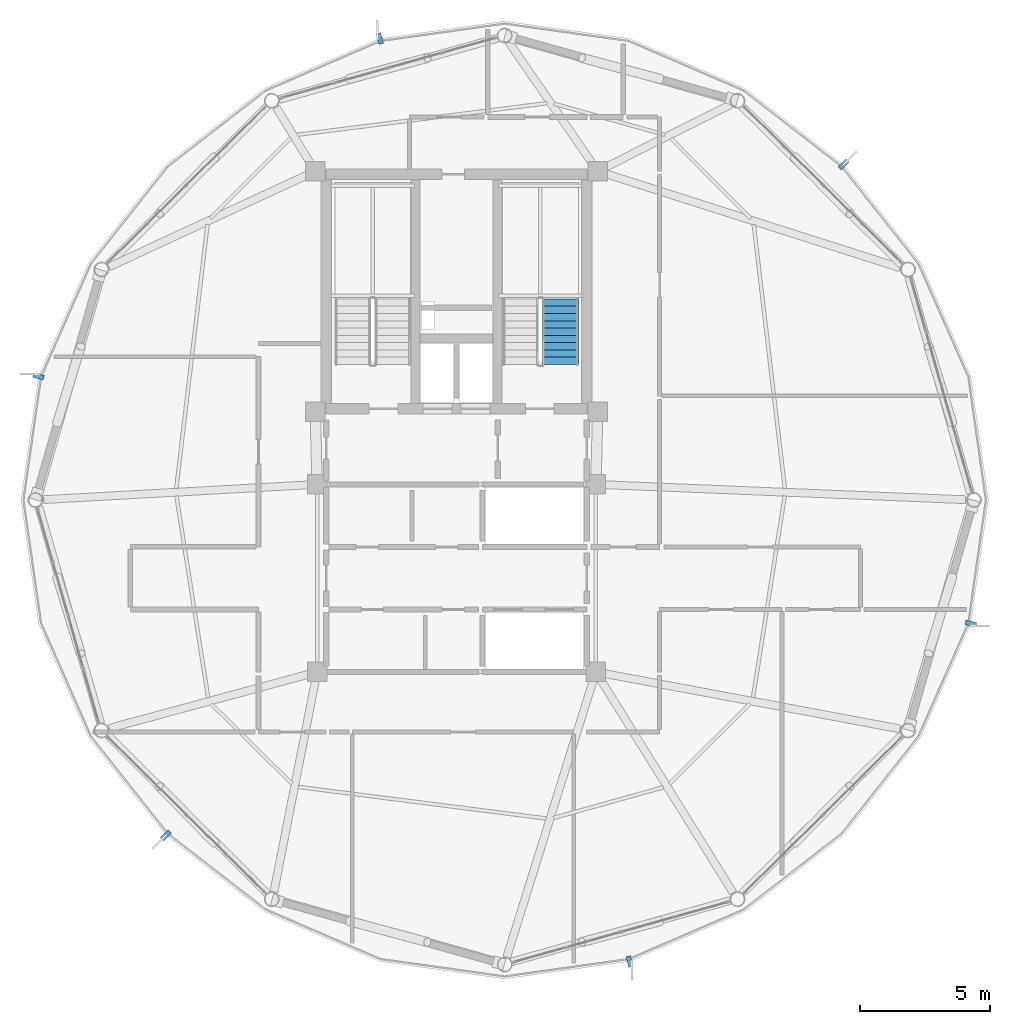
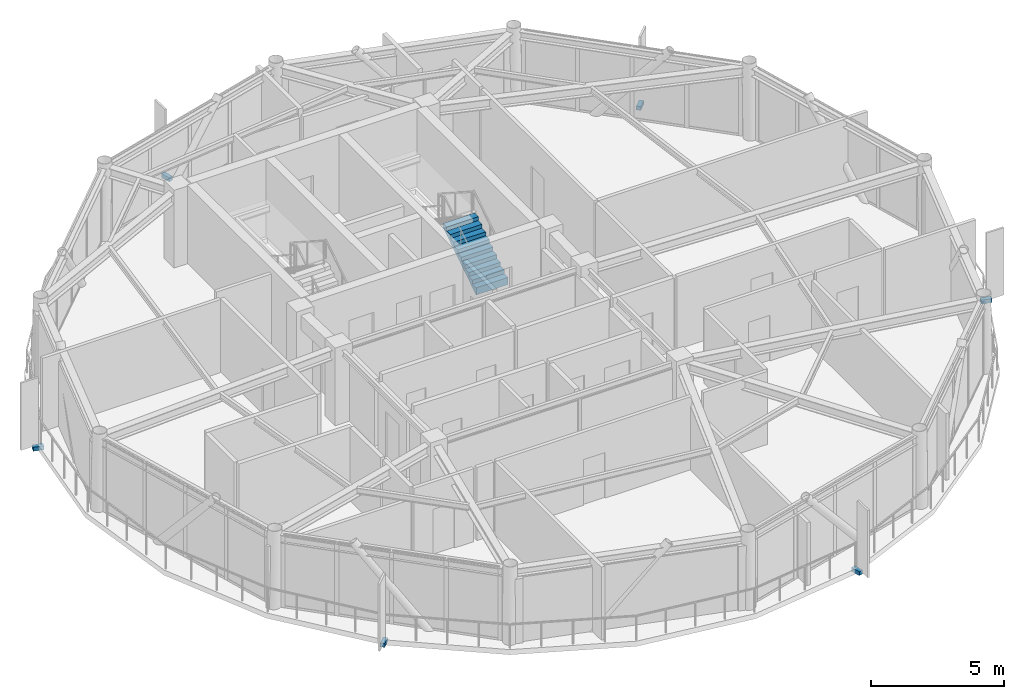
# One storey, part 21 of 24: 6 discrete accessories, 1 stair flight, 1 element without a shape of its own.
"""IFC4 building model written with IfcOpenShell, lengths in metres."""

from ifc_helpers import new_model, si_unit, direction, frame, origin, origin_2d, place, context, subcontext, project, spatial, polyline, rectangle, outline, extrude, source, transform, mapped, material, type_object, type_shapes, element, aggregate, save


model = new_model("IFC4")

# Units and contexts
model_context = context("Model", 3, precision=1e-05, world=origin(), true_north=direction((0.0, 1.0)))
body_context = subcontext(model_context, "Body", "Model", "MODEL_VIEW")
ifc_project = project(units=[si_unit("LENGTHUNIT", "METRE"), si_unit("AREAUNIT", "SQUARE_METRE"), si_unit("VOLUMEUNIT", "CUBIC_METRE"), si_unit("PLANEANGLEUNIT", "RADIAN"), si_unit("MASSUNIT", "GRAM", prefix="KILO")], contexts=[model_context])

# Site, building, storey
site_placement = place(None, origin())
site = spatial("IfcSite", under=ifc_project, at=site_placement, CompositionType="ELEMENT")
building_placement = place(site_placement, origin())
building = spatial("IfcBuilding", under=site, at=building_placement, Name="Varnakorn Sky Granary", CompositionType="ELEMENT")
storey_placement = place(building_placement, frame((0.0, 0.0, 274.199951171875)))
storey = spatial("IfcBuildingStorey", under=building, at=storey_placement, Name="L70", CompositionType="ELEMENT", Elevation=274.199951171875)

# Stair, stair flight
ifc_material_1 = material(Name="Concrete C40/50", Category="concrete")
stair_type = type_object("IfcStairType", Name="ST-MAIN-ASSEMBLY", PredefinedType="HALF_TURN_STAIR", material=ifc_material_1)
stair_placement = place(storey_placement, origin())
stair = element("IfcStair", 1, at=stair_placement, inside=storey, type_object=stair_type, Name="L70 Protected Exit Stair ST-2", PredefinedType="HALF_TURN_STAIR")
stair_flight_type = type_object("IfcStairFlightType", Name="ST-MAIN-FLIGHT", PredefinedType="STRAIGHT", material=ifc_material_1)
stair_flight_placement = place(storey_placement, frame((6.989990234375, 5.199951171875, 0.0), z_axis=(0.0, 0.0, 1.0), x_axis=(0.0, 1.0, 0.0)))
stair_flight = element("IfcStairFlight", 2, at=stair_flight_placement, type_object=stair_flight_type, Name="ST-2 flight 1", NumberOfRisers=10, NumberOfTreads=9, PredefinedType="STRAIGHT", RiserHeight=0.18, TreadLength=0.28, context=body_context, shape_type="SweptSolid", body=[
    extrude(outline(polyline([(0.0, -0.14990234375), (0.0, 0.0), (0.0, 0.179931640625), (0.280029296875, 0.179931640625), (0.280029296875, 0.360107421875), (0.56005859375, 0.360107421875), (0.56005859375, 0.5400390625), (0.840087890625, 0.5400390625), (0.840087890625, 0.719970703125), (1.1201171875, 0.719970703125), (1.1201171875, 0.89990234375), (1.39990234375, 0.89990234375), (1.39990234375, 1.080078125), (1.679931640625, 1.080078125), (1.679931640625, 1.260009765625), (1.9599609375, 1.260009765625), (1.9599609375, 1.43994140625), (2.239990234375, 1.43994140625), (2.239990234375, 1.6201171875), (2.52001953125, 1.6201171875), (2.52001953125, 1.800048828125), (2.52001953125, 1.44189453125), (0.050048828125, -0.14990234375), (0.0, -0.14990234375)])), frame((0.0, 0.68994140625, 0.0), z_axis=(0.0, -1.0, 0.0), x_axis=(1.0, 0.0, 0.0)), (0.0, 0.0, 1.0), 1.3798828125),
])
aggregate(stair, [stair_flight])

# Discrete accessories
ifc_material_2 = material(Name="Steel S355JR", Category="steel")
discrete_accessory_type = type_object("IfcDiscreteAccessoryType", Name="AC-BRK-01", PredefinedType="BRACKET", material=ifc_material_2)
shared_shape = source(origin(), body_context, "Body", "SweptSolid", [
    extrude(rectangle(XDim=0.179931640625, YDim=0.419921875, at=origin_2d()), origin(), (0.0, 0.0, 1.0), 0.179931640625),
])
type_shapes(discrete_accessory_type, [shared_shape])
for number, where, z_axis, x_axis, name in (
    (3, (17.854736328125, 12.872314453125, -0.19970703125), (0.0, 0.0, 1.0), (-0.703480557725, 0.71071450309, 0.0), "Facade Solar-Screen Outrigger Bracket L70-02"),
    (4, (0.0546875, 17.715087890625, -0.19970703125), (0.0, 0.0, 1.0), (-0.965263036492, -0.261280061205, 0.0), "Facade Solar-Screen Outrigger Bracket L70-04"),
    (5, (-13.044921875, 4.74658203125, -0.19970703125), (0.0, 0.0, 1.0), (-0.256377583808, -0.966576709072, 0.0), "Facade Solar-Screen Outrigger Bracket L70-06"),
    (6, (-8.15478515625, -12.872314453125, -0.19970703125), (0.0, 0.0, 1.0), (0.703480557725, -0.71071450309, 0.0), "Facade Solar-Screen Outrigger Bracket L70-08"),
    (7, (9.645263671875, -17.715087890625, -0.19970703125), (0.0, 0.0, 1.0), (0.965263036492, 0.261280061205, 0.0), "Facade Solar-Screen Outrigger Bracket L70-10"),
    (8, (22.744873046875, -4.74658203125, -0.19970703125), (0.0, 0.0, 1.0), (0.256377583808, 0.966576709072, 0.0), "Facade Solar-Screen Outrigger Bracket L70-12"),
):
    element("IfcDiscreteAccessory", number, at=place(storey_placement, frame(where, z_axis=z_axis, x_axis=x_axis)), inside=storey, type_object=discrete_accessory_type, Name=name, PredefinedType="BRACKET", context=body_context, shape_type="MappedRepresentation", body=[
        mapped(shared_shape, transform((0.0, 0.0, 0.0), x_axis=(1.0, 0.0, 0.0), y_axis=(0.0, 1.0, 0.0), z_axis=(0.0, 0.0, 1.0), scale=1.0)),
    ])

save(model, "model.ifc")
